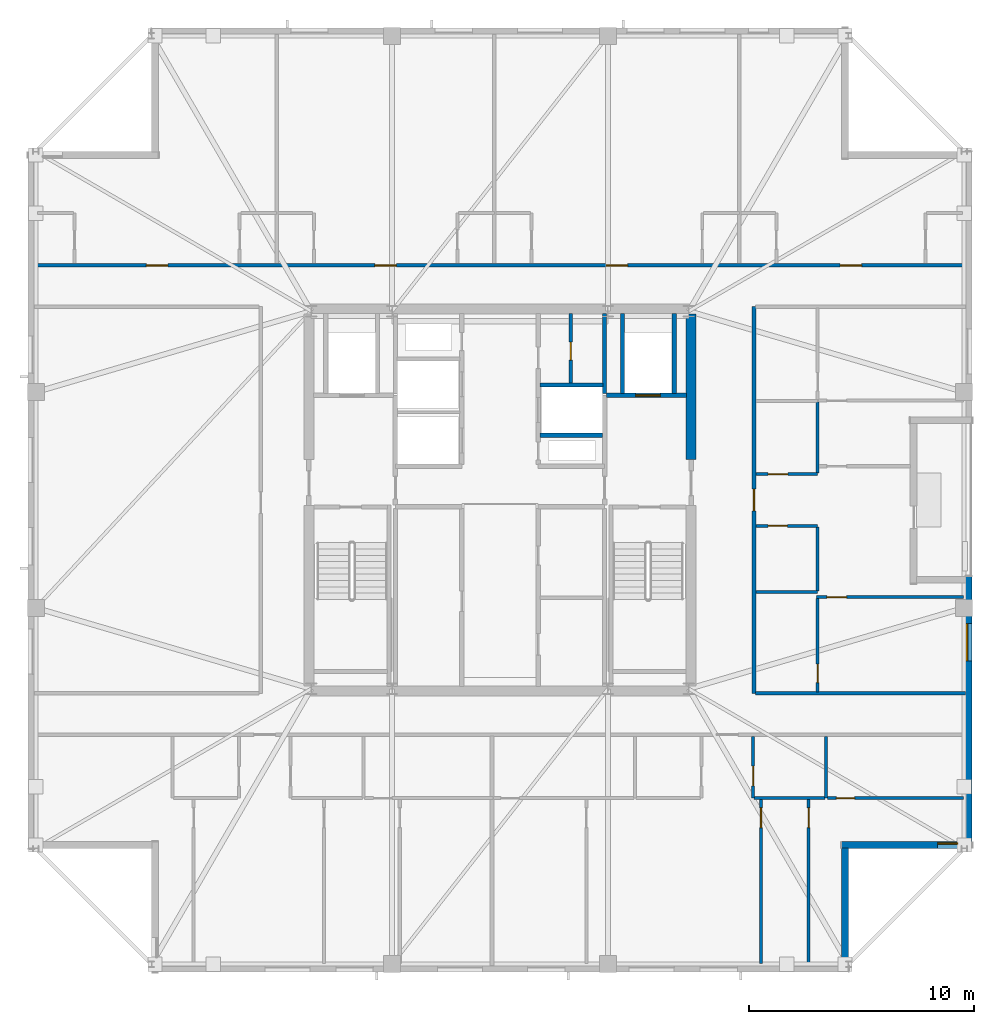
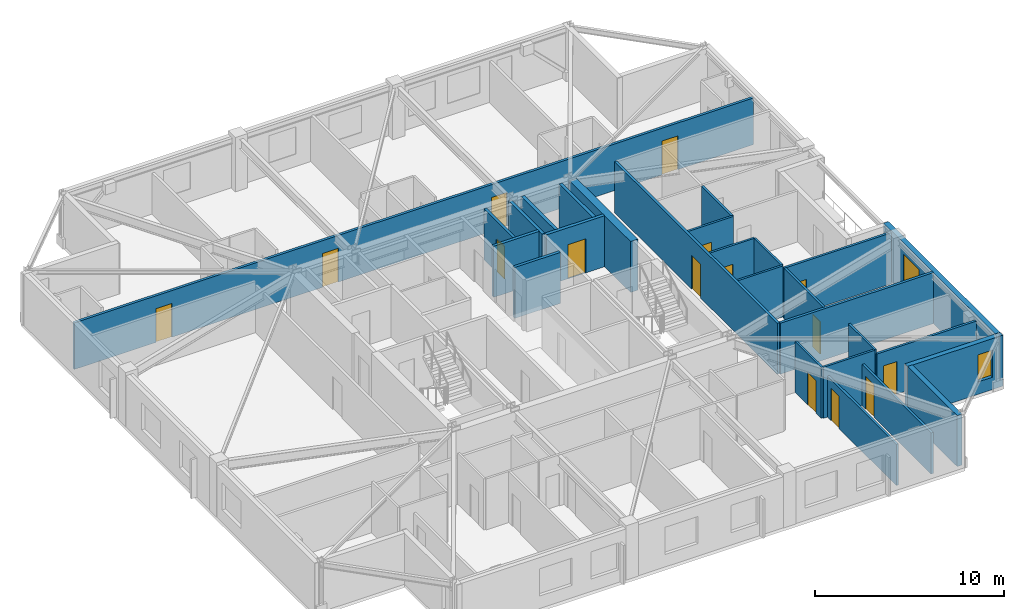
# One storey, part 9 of 15: 27 walls, 15 doors, 2 windows, 17 openings.
"""IFC4 building model written with IfcOpenShell, lengths in metres."""

from ifc_helpers import new_model, si_unit, direction, frame, frame_2d, origin, place, context, subcontext, project, spatial, rectangle, extrude, material, layer, layer_set, type_object, element, fill, save


model = new_model("IFC4")

# Units and contexts
model_context = context("Model", 3, precision=1e-05, world=origin(), true_north=direction((0.0, 1.0)))
body_context = subcontext(model_context, "Body", "Model", "MODEL_VIEW")
ifc_project = project(units=[si_unit("LENGTHUNIT", "METRE"), si_unit("AREAUNIT", "SQUARE_METRE"), si_unit("VOLUMEUNIT", "CUBIC_METRE"), si_unit("PLANEANGLEUNIT", "RADIAN"), si_unit("MASSUNIT", "GRAM", prefix="KILO")], contexts=[model_context])

# Site, building, storey
site_placement = place(None, origin())
site = spatial("IfcSite", under=ifc_project, at=site_placement, CompositionType="ELEMENT")
building_placement = place(site_placement, origin())
building = spatial("IfcBuilding", under=site, at=building_placement, Name="Cairnveth Concourse Tower", CompositionType="ELEMENT")
storey_placement = place(building_placement, frame((0.0, 0.0, 305.0)))
storey = spatial("IfcBuildingStorey", under=building, at=storey_placement, Name="L84", CompositionType="ELEMENT", Elevation=305.0)

# Wall, opening, door
ifc_material_1 = material(Name="Gypsum Plasterboard Partition", Category="gypsum")
ifc_layer_1 = layer(ifc_material_1, 0.159912109375)
ifc_layer_set_1 = layer_set([ifc_layer_1], Name="Gypsum Plasterboard Partition")
wall_type_1 = type_object("IfcWallType", Name="ACOUSTIC PARTY WALL 180", PredefinedType="PARTITIONING", material=ifc_layer_set_1)
wall_1_placement = place(storey_placement, frame((55.14990234375, 44.195068359375, 0.0), z_axis=(0.0, 0.0, 1.0), x_axis=(0.0, 1.0, 0.0)))
wall_1 = element("IfcWall", 1, at=wall_1_placement, inside=storey, type_object=wall_type_1, Name="Interior Wall IW-L84-034", PredefinedType="PARTITIONING", context=body_context, shape_type="SweptSolid", body=[
    extrude(rectangle(XDim=3.094970703125, YDim=0.159912109375, at=frame_2d((1.54736328125, 0.0))), origin(), (0.0, 0.0, 1.0), 3.2900390625),
])
opening_1_placement = place(wall_1_placement, frame((1.02490234375, 0.0, 0.0)))
opening_1 = element("IfcOpeningElement", 2, at=opening_1_placement, cuts=wall_1, Name="Opening ID23", PredefinedType="OPENING", context=body_context, shape_type="SweptSolid", body=[
    extrude(rectangle(XDim=0.800048828125, YDim=2.10009765625, at=frame_2d((0.39990234375, 1.050048828125))), frame((0.0, 0.08984375, 0.0), z_axis=(0.0, -1.0, 0.0), x_axis=(1.0, 0.0, 0.0)), (0.0, 0.0, 1.0), 0.179931640625),
])
ifc_material_2 = material(Name="Steel Grade 350", Category="steel")
door_type_1 = type_object("IfcDoorType", Name="CORE SERVICE DOOR 800X2100", OperationType="NOTDEFINED", PredefinedType="DOOR", material=ifc_material_2)
door_1_placement = place(opening_1_placement, origin())
door_1 = element("IfcDoor", 3, at=door_1_placement, inside=storey, type_object=door_type_1, Name="NE Linen Closet Door L84", OperationType="SINGLE_SWING_RIGHT", OverallHeight=2.10009765625, OverallWidth=0.800048828125, PredefinedType="DOOR", context=body_context, shape_type="SweptSolid", body=[
    extrude(rectangle(XDim=0.800048828125, YDim=2.10009765625, at=frame_2d((0.39990234375, 1.050048828125))), frame((0.0, 0.02490234375, 0.0), z_axis=(0.0, -1.0, 0.0), x_axis=(1.0, 0.0, 0.0)), (0.0, 0.0, 1.0), 0.050048828125),
])
fill(opening_1, door_1)

# Wall, openings, doors
wall_2_placement = place(storey_placement, frame((31.284912109375, 49.43505859375, 0.0), z_axis=(0.0, 0.0, 1.0), x_axis=(1.0, 0.0, 0.0)))
wall_2 = element("IfcWall", 4, at=wall_2_placement, inside=storey, type_object=wall_type_1, Name="Interior Wall IW-L84-036", PredefinedType="PARTITIONING", context=body_context, shape_type="SweptSolid", body=[
    extrude(rectangle(XDim=41.43017578125, YDim=0.159912109375, at=frame_2d((20.715087890625, 0.0))), origin(), (0.0, 0.0, 1.0), 3.009033203125),
])
opening_2_placement = place(wall_2_placement, frame((4.978759765625, 0.0, 0.0)))
opening_2 = element("IfcOpeningElement", 5, at=opening_2_placement, cuts=wall_2, Name="Opening ID10", PredefinedType="OPENING", context=body_context, shape_type="SweptSolid", body=[
    extrude(rectangle(XDim=0.9599609375, YDim=2.179931640625, at=frame_2d((0.47998046875, 1.08984375))), frame((0.0, 0.08984375, 0.0), z_axis=(0.0, -1.0, 0.0), x_axis=(1.0, 0.0, 0.0)), (0.0, 0.0, 1.0), 0.179931640625),
])
opening_3_placement = place(wall_2_placement, frame((15.14501953125, 0.0, 0.0)))
opening_3 = element("IfcOpeningElement", 6, at=opening_3_placement, cuts=wall_2, Name="Opening ID10", PredefinedType="OPENING", context=body_context, shape_type="SweptSolid", body=[
    extrude(rectangle(XDim=0.9599609375, YDim=2.179931640625, at=frame_2d((0.47998046875, 1.08984375))), frame((0.0, 0.08984375, 0.0), z_axis=(0.0, -1.0, 0.0), x_axis=(1.0, 0.0, 0.0)), (0.0, 0.0, 1.0), 0.179931640625),
])
opening_4_placement = place(wall_2_placement, frame((25.43505859375, 0.0, 0.0)))
opening_4 = element("IfcOpeningElement", 7, at=opening_4_placement, cuts=wall_2, Name="Opening ID10", PredefinedType="OPENING", context=body_context, shape_type="SweptSolid", body=[
    extrude(rectangle(XDim=0.9599609375, YDim=2.179931640625, at=frame_2d((0.47998046875, 1.08984375))), frame((0.0, 0.08984375, 0.0), z_axis=(0.0, -1.0, 0.0), x_axis=(1.0, 0.0, 0.0)), (0.0, 0.0, 1.0), 0.179931640625),
])
opening_5_placement = place(wall_2_placement, frame((35.848876953125, 0.0, 0.0)))
opening_5 = element("IfcOpeningElement", 8, at=opening_5_placement, cuts=wall_2, Name="Opening ID10", PredefinedType="OPENING", context=body_context, shape_type="SweptSolid", body=[
    extrude(rectangle(XDim=0.9599609375, YDim=2.179931640625, at=frame_2d((0.47998046875, 1.08984375))), frame((0.0, 0.08984375, 0.0), z_axis=(0.0, -1.0, 0.0), x_axis=(1.0, 0.0, 0.0)), (0.0, 0.0, 1.0), 0.179931640625),
])
ifc_material_3 = material(Name="Solid Core Hardwood Timber Leaf", Category="wood")
door_type_2 = type_object("IfcDoorType", Name="FLAT ENTRANCE DOOR 960X2150", OperationType="NOTDEFINED", PredefinedType="DOOR", material=ifc_material_3)
door_2_placement = place(opening_2_placement, origin())
door_2 = element("IfcDoor", 9, at=door_2_placement, inside=storey, type_object=door_type_2, Name="Studio L84STN1 Entrance Door", OperationType="SINGLE_SWING_RIGHT", OverallHeight=2.179931640625, OverallWidth=0.9599609375, PredefinedType="DOOR", context=body_context, shape_type="SweptSolid", body=[
    extrude(rectangle(XDim=0.9599609375, YDim=2.179931640625, at=frame_2d((0.47998046875, 1.08984375))), frame((0.0, 0.02490234375, 0.0), z_axis=(0.0, -1.0, 0.0), x_axis=(1.0, 0.0, 0.0)), (0.0, 0.0, 1.0), 0.050048828125),
])
fill(opening_2, door_2)
door_3_placement = place(opening_3_placement, origin())
door_3 = element("IfcDoor", 10, at=door_3_placement, inside=storey, type_object=door_type_2, Name="Studio L84STN2 Entrance Door", OperationType="SINGLE_SWING_LEFT", OverallHeight=2.179931640625, OverallWidth=0.9599609375, PredefinedType="DOOR", context=body_context, shape_type="SweptSolid", body=[
    extrude(rectangle(XDim=0.9599609375, YDim=2.179931640625, at=frame_2d((0.47998046875, 1.08984375))), frame((0.0, 0.02490234375, 0.0), z_axis=(0.0, -1.0, 0.0), x_axis=(1.0, 0.0, 0.0)), (0.0, 0.0, 1.0), 0.050048828125),
])
fill(opening_3, door_3)
door_4_placement = place(opening_4_placement, origin())
door_4 = element("IfcDoor", 11, at=door_4_placement, inside=storey, type_object=door_type_2, Name="Studio L84STN3 Entrance Door", OperationType="SINGLE_SWING_RIGHT", OverallHeight=2.179931640625, OverallWidth=0.9599609375, PredefinedType="DOOR", context=body_context, shape_type="SweptSolid", body=[
    extrude(rectangle(XDim=0.9599609375, YDim=2.179931640625, at=frame_2d((0.47998046875, 1.08984375))), frame((0.0, 0.02490234375, 0.0), z_axis=(0.0, -1.0, 0.0), x_axis=(1.0, 0.0, 0.0)), (0.0, 0.0, 1.0), 0.050048828125),
])
fill(opening_4, door_4)
door_5_placement = place(opening_5_placement, origin())
door_5 = element("IfcDoor", 12, at=door_5_placement, inside=storey, type_object=door_type_2, Name="Studio L84STN4 Entrance Door", OperationType="SINGLE_SWING_LEFT", OverallHeight=2.179931640625, OverallWidth=0.9599609375, PredefinedType="DOOR", context=body_context, shape_type="SweptSolid", body=[
    extrude(rectangle(XDim=0.9599609375, YDim=2.179931640625, at=frame_2d((0.47998046875, 1.08984375))), frame((0.0, 0.02490234375, 0.0), z_axis=(0.0, -1.0, 0.0), x_axis=(1.0, 0.0, 0.0)), (0.0, 0.0, 1.0), 0.050048828125),
])
fill(opening_5, door_5)

# Wall, opening, door
wall_3_placement = place(storey_placement, frame((63.300048828125, 30.39990234375, 0.0), z_axis=(0.0, 0.0, 1.0), x_axis=(0.0, 1.0, 0.0)))
wall_3 = element("IfcWall", 13, at=wall_3_placement, inside=storey, type_object=wall_type_1, Name="Interior Wall IW-L84-038", PredefinedType="PARTITIONING", context=body_context, shape_type="SweptSolid", body=[
    extrude(rectangle(XDim=17.2001953125, YDim=0.159912109375, at=frame_2d((8.60009765625, 0.0))), origin(), (0.0, 0.0, 1.0), 3.2900390625),
])
opening_6_placement = place(wall_3_placement, frame((8.1201171875, 0.0, 0.0)))
opening_6 = element("IfcOpeningElement", 14, at=opening_6_placement, cuts=wall_3, Name="Opening ID10", PredefinedType="OPENING", context=body_context, shape_type="SweptSolid", body=[
    extrude(rectangle(XDim=0.9599609375, YDim=2.179931640625, at=frame_2d((0.47998046875, 1.08984375))), frame((0.0, 0.08984375, 0.0), z_axis=(0.0, -1.0, 0.0), x_axis=(1.0, 0.0, 0.0)), (0.0, 0.0, 1.0), 0.179931640625),
])
door_6_placement = place(opening_6_placement, origin())
door_6 = element("IfcDoor", 15, at=door_6_placement, inside=storey, type_object=door_type_2, Name="Penthouse L84PE1 Entrance Door", OperationType="SINGLE_SWING_RIGHT", OverallHeight=2.179931640625, OverallWidth=0.9599609375, PredefinedType="DOOR", context=body_context, shape_type="SweptSolid", body=[
    extrude(rectangle(XDim=0.9599609375, YDim=2.179931640625, at=frame_2d((0.47998046875, 1.08984375))), frame((0.0, 0.02490234375, 0.0), z_axis=(0.0, -1.0, 0.0), x_axis=(1.0, 0.0, 0.0)), (0.0, 0.0, 1.0), 0.050048828125),
])
fill(opening_6, door_6)

# Walls
wall_4_placement = place(storey_placement, frame((63.364990234375, 30.39990234375, 0.0), z_axis=(0.0, 0.0, 1.0), x_axis=(1.0, 0.0, 0.0)))
element("IfcWall", 16, at=wall_4_placement, inside=storey, type_object=wall_type_1, Name="Interior Wall IW-L84-041", PredefinedType="PARTITIONING", context=body_context, shape_type="SweptSolid", body=[
    extrude(rectangle(XDim=9.35009765625, YDim=0.159912109375, at=frame_2d((4.675048828125, 0.0))), origin(), (0.0, 0.0, 1.0), 3.2900390625),
])
ifc_material_4 = material(Name="Concrete N65 (65 MPa)", Category="concrete")
ifc_layer_2 = layer(ifc_material_4, 0.449951171875)
ifc_layer_set_2 = layer_set([ifc_layer_2], Name="Concrete N65 (65 MPa)")
wall_type_2 = type_object("IfcWallType", Name="CORE SHEAR WALL 450", PredefinedType="SHEAR", material=ifc_layer_set_2)
wall_5_placement = place(storey_placement, frame((60.5, 40.800048828125, 0.0), z_axis=(0.0, 0.0, 1.0), x_axis=(0.0, 1.0, 0.0)))
element("IfcWall", 17, at=wall_5_placement, inside=storey, type_object=wall_type_2, Name="Core East Shear Wall N L84", PredefinedType="SHEAR", context=body_context, shape_type="SweptSolid", body=[
    extrude(rectangle(XDim=6.48486328125, YDim=0.449951171875, at=frame_2d((3.242431640625, 0.0))), origin(), (0.0, 0.0, 1.0), 3.2900390625),
])
ifc_material_5 = material(Name="Concrete N50 (50 MPa)", Category="concrete")
ifc_layer_3 = layer(ifc_material_5, 0.179931640625)
ifc_layer_set_3 = layer_set([ifc_layer_3], Name="Concrete N50 (50 MPa)")
wall_type_3 = type_object("IfcWallType", Name="FIRE SHAFT WALL 180", PredefinedType="SOLIDWALL", material=ifc_layer_set_3)
wall_6_placement = place(storey_placement, frame((56.64990234375, 43.735107421875, 0.0), z_axis=(0.0, 0.0, 1.0), x_axis=(0.0, 1.0, 0.0)))
element("IfcWall", 18, at=wall_6_placement, inside=storey, type_object=wall_type_3, Name="Interior Wall IW-L84-031", PredefinedType="SOLIDWALL", context=body_context, shape_type="SweptSolid", body=[
    extrude(rectangle(XDim=3.554931640625, YDim=0.179931640625, at=frame_2d((1.77734375, 0.0))), origin(), (0.0, 0.0, 1.0), 3.2900390625),
])
wall_7_placement = place(storey_placement, frame((53.784912109375, 41.8798828125, 0.0), z_axis=(0.0, 0.0, 1.0), x_axis=(1.0, 0.0, 0.0)))
element("IfcWall", 19, at=wall_7_placement, inside=storey, type_object=wall_type_3, Name="Interior Wall IW-L84-032", PredefinedType="SOLIDWALL", context=body_context, shape_type="SweptSolid", body=[
    extrude(rectangle(XDim=2.780029296875, YDim=0.179931640625, at=frame_2d((1.39013671875, 0.0))), origin(), (0.0, 0.0, 1.0), 3.2900390625),
])
wall_8_placement = place(storey_placement, frame((53.784912109375, 44.1201171875, 0.0), z_axis=(0.0, 0.0, 1.0), x_axis=(1.0, 0.0, 0.0)))
element("IfcWall", 20, at=wall_8_placement, inside=storey, type_object=wall_type_3, Name="Interior Wall IW-L84-033", PredefinedType="SOLIDWALL", context=body_context, shape_type="SweptSolid", body=[
    extrude(rectangle(XDim=2.7900390625, YDim=0.179931640625, at=frame_2d((1.39501953125, 0.0))), origin(), (0.0, 0.0, 1.0), 3.2900390625),
])

# Wall, opening, door
ifc_layer_4 = layer(ifc_material_5, 0.199951171875)
ifc_layer_set_4 = layer_set([ifc_layer_4], Name="Concrete N50 (50 MPa)")
wall_type_4 = type_object("IfcWallType", Name="FIRE SHAFT WALL 200", PredefinedType="SOLIDWALL", material=ifc_layer_set_4)
wall_9_placement = place(storey_placement, frame((56.735107421875, 43.64990234375, 0.0), z_axis=(0.0, 0.0, 1.0), x_axis=(1.0, 0.0, 0.0)))
wall_9 = element("IfcWall", 21, at=wall_9_placement, inside=storey, type_object=wall_type_4, Name="Interior Wall IW-L84-022", PredefinedType="SOLIDWALL", context=body_context, shape_type="SweptSolid", body=[
    extrude(rectangle(XDim=3.554931640625, YDim=0.199951171875, at=frame_2d((1.77734375, 0.0))), origin(), (0.0, 0.0, 1.0), 3.2900390625),
])
opening_7_placement = place(wall_9_placement, frame((1.294921875, 0.0, 0.0)))
opening_7 = element("IfcOpeningElement", 22, at=opening_7_placement, cuts=wall_9, Name="Opening LD-1", PredefinedType="OPENING", context=body_context, shape_type="SweptSolid", body=[
    extrude(rectangle(XDim=1.10009765625, YDim=2.199951171875, at=frame_2d((0.550048828125, 1.10009765625))), frame((0.0, 0.10986328125, 0.0), z_axis=(0.0, -1.0, 0.0), x_axis=(1.0, 0.0, 0.0)), (0.0, 0.0, 1.0), 0.219970703125),
])
ifc_material_6 = material(Name="Architectural Bronze Anodised Aluminium 6063-T6", Category="aluminium")
door_type_3 = type_object("IfcDoorType", Name="LIFT LANDING DOOR 1100X2200", OperationType="SLIDING_TO_LEFT", PredefinedType="DOOR", material=ifc_material_6)
door_7_placement = place(opening_7_placement, origin())
door_7 = element("IfcDoor", 23, at=door_7_placement, inside=storey, type_object=door_type_3, Name="Lift FFL2 Landing Door L84", OperationType="SLIDING_TO_LEFT", OverallHeight=2.199951171875, OverallWidth=1.10009765625, PredefinedType="DOOR", context=body_context, shape_type="SweptSolid", body=[
    extrude(rectangle(XDim=1.10009765625, YDim=2.199951171875, at=frame_2d((0.550048828125, 1.10009765625))), frame((0.0, 0.02490234375, 0.0), z_axis=(0.0, -1.0, 0.0), x_axis=(1.0, 0.0, 0.0)), (0.0, 0.0, 1.0), 0.050048828125),
])
fill(opening_7, door_7)

# Walls
for number, where, z_axis, x_axis, name in (
    (24, (57.449951171875, 43.735107421875, 0.0), (0.0, 0.0, 1.0), (0.0, 1.0, 0.0), "Interior Wall IW-L84-023"),
    (25, (59.75, 43.735107421875, 0.0), (0.0, 0.0, 1.0), (0.0, 1.0, 0.0), "Interior Wall IW-L84-024"),
):
    element("IfcWall", number, at=place(storey_placement, frame(where, z_axis=z_axis, x_axis=x_axis)), inside=storey, type_object=wall_type_4, Name=name, PredefinedType="SOLIDWALL", context=body_context, shape_type="SweptSolid", body=[
        extrude(rectangle(XDim=3.554931640625, YDim=0.199951171875, at=frame_2d((1.77734375, 0.0))), origin(), (0.0, 0.0, 1.0), 3.2900390625),
    ])

# Wall, opening, door
ifc_layer_5 = layer(ifc_material_1, 0.139892578125)
ifc_layer_set_5 = layer_set([ifc_layer_5], Name="Gypsum Plasterboard Partition")
wall_type_5 = type_object("IfcWallType", Name="GYPSUM STUD PARTITION 140", PredefinedType="PARTITIONING", material=ifc_layer_set_5)
wall_10_placement = place(storey_placement, frame((65.72998046875, 18.3798828125, 0.0), z_axis=(0.0, 0.0, 1.0), x_axis=(0.0, 1.0, 0.0)))
wall_10 = element("IfcWall", 26, at=wall_10_placement, inside=storey, type_object=wall_type_5, Name="Interior Wall IW-L84-062", PredefinedType="PARTITIONING", context=body_context, shape_type="SweptSolid", body=[
    extrude(rectangle(XDim=7.30517578125, YDim=0.139892578125, at=frame_2d((3.652587890625, 0.0))), origin(), (0.0, 0.0, 1.0), 2.653076171875),
])
opening_8_placement = place(wall_10_placement, frame((6.044921875, 0.0, 0.0)))
opening_8 = element("IfcOpeningElement", 27, at=opening_8_placement, cuts=wall_10, Name="Opening ID18", PredefinedType="OPENING", context=body_context, shape_type="SweptSolid", body=[
    extrude(rectangle(XDim=0.8798828125, YDim=2.10009765625, at=frame_2d((0.43994140625, 1.050048828125))), frame((0.0, 0.079833984375, 0.0), z_axis=(0.0, -1.0, 0.0), x_axis=(1.0, 0.0, 0.0)), (0.0, 0.0, 1.0), 0.159912109375),
])
door_type_4 = type_object("IfcDoorType", Name="INTERIOR SINGLE DOOR 880X2100", OperationType="NOTDEFINED", PredefinedType="DOOR", material=ifc_material_3)
door_8_placement = place(opening_8_placement, origin())
door_8 = element("IfcDoor", 28, at=door_8_placement, inside=storey, type_object=door_type_4, Name="L84PS2 Bedroom 2 Door", OperationType="SINGLE_SWING_LEFT", OverallHeight=2.10009765625, OverallWidth=0.8798828125, PredefinedType="DOOR", context=body_context, shape_type="SweptSolid", body=[
    extrude(rectangle(XDim=0.8798828125, YDim=2.10009765625, at=frame_2d((0.43994140625, 1.050048828125))), frame((0.0, 0.02490234375, 0.0), z_axis=(0.0, -1.0, 0.0), x_axis=(1.0, 0.0, 0.0)), (0.0, 0.0, 1.0), 0.050048828125),
])
fill(opening_8, door_8)

wall_11_placement = place(storey_placement, frame((66.561279296875, 25.735107421875, 0.0), z_axis=(0.0, 0.0, 1.0), x_axis=(1.0, 0.0, 0.0)))
wall_11 = element("IfcWall", 29, at=wall_11_placement, inside=storey, type_object=wall_type_5, Name="Interior Wall IW-L84-063", PredefinedType="PARTITIONING", context=body_context, shape_type="SweptSolid", body=[
    extrude(rectangle(XDim=6.068603515625, YDim=0.139892578125, at=frame_2d((3.0341796875, 0.0))), origin(), (0.0, 0.0, 1.0), 3.009033203125),
])
opening_9_placement = place(wall_11_placement, frame((0.39990234375, 0.0, 0.0)))
opening_9 = element("IfcOpeningElement", 30, at=opening_9_placement, cuts=wall_11, Name="Opening ID22", PredefinedType="OPENING", context=body_context, shape_type="SweptSolid", body=[
    extrude(rectangle(XDim=0.820068359375, YDim=2.10009765625, at=frame_2d((0.41015625, 1.050048828125))), frame((0.0, 0.079833984375, 0.0), z_axis=(0.0, -1.0, 0.0), x_axis=(1.0, 0.0, 0.0)), (0.0, 0.0, 1.0), 0.159912109375),
])
door_type_5 = type_object("IfcDoorType", Name="INTERIOR WC DOOR 820X2100", OperationType="NOTDEFINED", PredefinedType="DOOR", material=ifc_material_3)
door_9_placement = place(opening_9_placement, origin())
door_9 = element("IfcDoor", 31, at=door_9_placement, inside=storey, type_object=door_type_5, Name="L84PS2 Utility Door", OperationType="SINGLE_SWING_RIGHT", OverallHeight=2.10009765625, OverallWidth=0.820068359375, PredefinedType="DOOR", context=body_context, shape_type="SweptSolid", body=[
    extrude(rectangle(XDim=0.820068359375, YDim=2.10009765625, at=frame_2d((0.41015625, 1.050048828125))), frame((0.0, 0.02490234375, 0.0), z_axis=(0.0, -1.0, 0.0), x_axis=(1.0, 0.0, 0.0)), (0.0, 0.0, 1.0), 0.050048828125),
])
fill(opening_9, door_9)

wall_12_placement = place(storey_placement, frame((63.611083984375, 18.3798828125, 0.0), z_axis=(0.0, 0.0, 1.0), x_axis=(0.0, 1.0, 0.0)))
wall_12 = element("IfcWall", 32, at=wall_12_placement, inside=storey, type_object=wall_type_5, Name="Interior Wall IW-L84-064", PredefinedType="PARTITIONING", context=body_context, shape_type="SweptSolid", body=[
    extrude(rectangle(XDim=7.30517578125, YDim=0.139892578125, at=frame_2d((3.652587890625, 0.0))), origin(), (0.0, 0.0, 1.0), 2.653076171875),
])
opening_10_placement = place(wall_12_placement, frame((6.044921875, 0.0, 0.0)))
opening_10 = element("IfcOpeningElement", 33, at=opening_10_placement, cuts=wall_12, Name="Opening ID18", PredefinedType="OPENING", context=body_context, shape_type="SweptSolid", body=[
    extrude(rectangle(XDim=0.8798828125, YDim=2.10009765625, at=frame_2d((0.43994140625, 1.050048828125))), frame((0.0, 0.079833984375, 0.0), z_axis=(0.0, -1.0, 0.0), x_axis=(1.0, 0.0, 0.0)), (0.0, 0.0, 1.0), 0.159912109375),
])
door_10_placement = place(opening_10_placement, origin())
door_10 = element("IfcDoor", 34, at=door_10_placement, inside=storey, type_object=door_type_4, Name="L84PS2 Media Lounge Door", OperationType="SINGLE_SWING_RIGHT", OverallHeight=2.10009765625, OverallWidth=0.8798828125, PredefinedType="DOOR", context=body_context, shape_type="SweptSolid", body=[
    extrude(rectangle(XDim=0.8798828125, YDim=2.10009765625, at=frame_2d((0.43994140625, 1.050048828125))), frame((0.0, 0.02490234375, 0.0), z_axis=(0.0, -1.0, 0.0), x_axis=(1.0, 0.0, 0.0)), (0.0, 0.0, 1.0), 0.050048828125),
])
fill(opening_10, door_10)

wall_13_placement = place(storey_placement, frame((66.090087890625, 34.679931640625, 0.0), z_axis=(0.0, 0.0, 1.0), x_axis=(1.0, 0.0, 0.0)))
wall_13 = element("IfcWall", 35, at=wall_13_placement, inside=storey, type_object=wall_type_5, Name="Interior Wall IW-L84-090", PredefinedType="PARTITIONING", context=body_context, shape_type="SweptSolid", body=[
    extrude(rectangle(XDim=6.530029296875, YDim=0.139892578125, at=frame_2d((3.26513671875, 0.0))), origin(), (0.0, 0.0, 1.0), 3.2900390625),
])
opening_11_placement = place(wall_13_placement, frame((0.449951171875, 0.0, 0.0)))
opening_11 = element("IfcOpeningElement", 36, at=opening_11_placement, cuts=wall_13, Name="Opening ID18", PredefinedType="OPENING", context=body_context, shape_type="SweptSolid", body=[
    extrude(rectangle(XDim=0.8798828125, YDim=2.10009765625, at=frame_2d((0.43994140625, 1.050048828125))), frame((0.0, 0.079833984375, 0.0), z_axis=(0.0, -1.0, 0.0), x_axis=(1.0, 0.0, 0.0)), (0.0, 0.0, 1.0), 0.159912109375),
])
door_11_placement = place(opening_11_placement, origin())
door_11 = element("IfcDoor", 37, at=door_11_placement, inside=storey, type_object=door_type_4, Name="L84PE1 Master Bedroom Door", OperationType="SINGLE_SWING_RIGHT", OverallHeight=2.10009765625, OverallWidth=0.8798828125, PredefinedType="DOOR", context=body_context, shape_type="SweptSolid", body=[
    extrude(rectangle(XDim=0.8798828125, YDim=2.10009765625, at=frame_2d((0.43994140625, 1.050048828125))), frame((0.0, 0.02490234375, 0.0), z_axis=(0.0, -1.0, 0.0), x_axis=(1.0, 0.0, 0.0)), (0.0, 0.0, 1.0), 0.050048828125),
])
fill(opening_11, door_11)

wall_14_placement = place(storey_placement, frame((66.1298828125, 30.465087890625, 0.0), z_axis=(0.0, 0.0, 1.0), x_axis=(0.0, 1.0, 0.0)))
wall_14 = element("IfcWall", 38, at=wall_14_placement, inside=storey, type_object=wall_type_5, Name="Interior Wall IW-L84-091", PredefinedType="PARTITIONING", context=body_context, shape_type="SweptSolid", body=[
    extrude(rectangle(XDim=4.159912109375, YDim=0.139892578125, at=frame_2d((2.080078125, 0.0))), origin(), (0.0, 0.0, 1.0), 3.2900390625),
])
opening_12_placement = place(wall_14_placement, frame((0.4150390625, 0.0, 0.0)))
opening_12 = element("IfcOpeningElement", 39, at=opening_12_placement, cuts=wall_14, Name="Opening ID22", PredefinedType="OPENING", context=body_context, shape_type="SweptSolid", body=[
    extrude(rectangle(XDim=0.820068359375, YDim=2.10009765625, at=frame_2d((0.41015625, 1.050048828125))), frame((0.0, 0.079833984375, 0.0), z_axis=(0.0, -1.0, 0.0), x_axis=(1.0, 0.0, 0.0)), (0.0, 0.0, 1.0), 0.159912109375),
])
door_12_placement = place(opening_12_placement, origin())
door_12 = element("IfcDoor", 40, at=door_12_placement, inside=storey, type_object=door_type_5, Name="L84PE1 Dressing Door", OperationType="SINGLE_SWING_LEFT", OverallHeight=2.10009765625, OverallWidth=0.820068359375, PredefinedType="DOOR", context=body_context, shape_type="SweptSolid", body=[
    extrude(rectangle(XDim=0.820068359375, YDim=2.10009765625, at=frame_2d((0.41015625, 1.050048828125))), frame((0.0, 0.02490234375, 0.0), z_axis=(0.0, -1.0, 0.0), x_axis=(1.0, 0.0, 0.0)), (0.0, 0.0, 1.0), 0.050048828125),
])
fill(opening_12, door_12)

# Wall
ifc_layer_6 = layer(ifc_material_1, 0.1298828125)
ifc_layer_set_6 = layer_set([ifc_layer_6], Name="Gypsum Plasterboard Partition")
wall_type_6 = type_object("IfcWallType", Name="WET AREA PARTITION 140", PredefinedType="PLUMBINGWALL", material=ifc_layer_set_6)
wall_15_placement = place(storey_placement, frame((66.51123046875, 25.735107421875, 0.0), z_axis=(0.0, 0.0, 1.0), x_axis=(0.0, 1.0, 0.0)))
element("IfcWall", 41, at=wall_15_placement, inside=storey, type_object=wall_type_6, Name="Interior Wall IW-L84-057", PredefinedType="PLUMBINGWALL", context=body_context, shape_type="SweptSolid", body=[
    extrude(rectangle(XDim=2.75, YDim=0.1298828125, at=frame_2d((1.375, 0.0))), origin(), (0.0, 0.0, 1.0), 3.2900390625),
])

# Wall, opening, door
wall_16_placement = place(storey_placement, frame((63.26123046875, 25.735107421875, 0.0), z_axis=(0.0, 0.0, 1.0), x_axis=(0.0, 1.0, 0.0)))
wall_16 = element("IfcWall", 42, at=wall_16_placement, inside=storey, type_object=wall_type_6, Name="Interior Wall IW-L84-058", PredefinedType="PLUMBINGWALL", context=body_context, shape_type="SweptSolid", body=[
    extrude(rectangle(XDim=2.75, YDim=0.1298828125, at=frame_2d((1.375, 0.0))), origin(), (0.0, 0.0, 1.0), 3.2900390625),
])
opening_13_placement = place(wall_16_placement, frame((0.550048828125, 0.0, 0.0)))
opening_13 = element("IfcOpeningElement", 43, at=opening_13_placement, cuts=wall_16, Name="Opening ID18", PredefinedType="OPENING", context=body_context, shape_type="SweptSolid", body=[
    extrude(rectangle(XDim=0.8798828125, YDim=2.10009765625, at=frame_2d((0.43994140625, 1.050048828125))), frame((0.0, 0.074951171875, 0.0), z_axis=(0.0, -1.0, 0.0), x_axis=(1.0, 0.0, 0.0)), (0.0, 0.0, 1.0), 0.14990234375),
])
door_13_placement = place(opening_13_placement, origin())
door_13 = element("IfcDoor", 44, at=door_13_placement, inside=storey, type_object=door_type_4, Name="L84PS2 Kitchen Door", OperationType="SINGLE_SWING_LEFT", OverallHeight=2.10009765625, OverallWidth=0.8798828125, PredefinedType="DOOR", context=body_context, shape_type="SweptSolid", body=[
    extrude(rectangle(XDim=0.8798828125, YDim=2.10009765625, at=frame_2d((0.43994140625, 1.050048828125))), frame((0.0, 0.02490234375, 0.0), z_axis=(0.0, -1.0, 0.0), x_axis=(1.0, 0.0, 0.0)), (0.0, 0.0, 1.0), 0.050048828125),
])
fill(opening_13, door_13)

# Walls
wall_17_placement = place(storey_placement, frame((63.311279296875, 25.735107421875, 0.0), z_axis=(0.0, 0.0, 1.0), x_axis=(1.0, 0.0, 0.0)))
element("IfcWall", 45, at=wall_17_placement, inside=storey, type_object=wall_type_6, Name="Interior Wall IW-L84-059", PredefinedType="PLUMBINGWALL", context=body_context, shape_type="SweptSolid", body=[
    extrude(rectangle(XDim=3.14990234375, YDim=0.1298828125, at=frame_2d((1.574951171875, 0.0))), origin(), (0.0, 0.0, 1.0), 3.2900390625),
])
wall_18_placement = place(storey_placement, frame((63.3798828125, 34.89990234375, 0.0), z_axis=(0.0, 0.0, 1.0), x_axis=(1.0, 0.0, 0.0)))
element("IfcWall", 46, at=wall_18_placement, inside=storey, type_object=wall_type_6, Name="Interior Wall IW-L84-084", PredefinedType="PLUMBINGWALL", context=body_context, shape_type="SweptSolid", body=[
    extrude(rectangle(XDim=2.75, YDim=0.1298828125, at=frame_2d((1.375, 0.0))), origin(), (0.0, 0.0, 1.0), 3.2900390625),
])

# Wall, opening, door
wall_19_placement = place(storey_placement, frame((63.3798828125, 37.85009765625, 0.0), z_axis=(0.0, 0.0, 1.0), x_axis=(1.0, 0.0, 0.0)))
wall_19 = element("IfcWall", 47, at=wall_19_placement, inside=storey, type_object=wall_type_6, Name="Interior Wall IW-L84-085", PredefinedType="PLUMBINGWALL", context=body_context, shape_type="SweptSolid", body=[
    extrude(rectangle(XDim=2.75, YDim=0.1298828125, at=frame_2d((1.375, 0.0))), origin(), (0.0, 0.0, 1.0), 3.2900390625),
])
opening_14_placement = place(wall_19_placement, frame((0.550048828125, 0.0, 0.0)))
opening_14 = element("IfcOpeningElement", 48, at=opening_14_placement, cuts=wall_19, Name="Opening ID21", PredefinedType="OPENING", context=body_context, shape_type="SweptSolid", body=[
    extrude(rectangle(XDim=0.85009765625, YDim=2.080078125, at=frame_2d((0.425048828125, 1.0400390625))), frame((0.0, 0.074951171875, 0.0), z_axis=(0.0, -1.0, 0.0), x_axis=(1.0, 0.0, 0.0)), (0.0, 0.0, 1.0), 0.14990234375),
])
door_type_6 = type_object("IfcDoorType", Name="INTERIOR WC DOOR 850X2100", OperationType="NOTDEFINED", PredefinedType="DOOR", material=ifc_material_3)
door_14_placement = place(opening_14_placement, origin())
door_14 = element("IfcDoor", 49, at=door_14_placement, inside=storey, type_object=door_type_6, Name="L84PE1 Bathroom Door", OperationType="SINGLE_SWING_LEFT", OverallHeight=2.080078125, OverallWidth=0.85009765625, PredefinedType="DOOR", context=body_context, shape_type="SweptSolid", body=[
    extrude(rectangle(XDim=0.85009765625, YDim=2.080078125, at=frame_2d((0.425048828125, 1.0400390625))), frame((0.0, 0.02490234375, 0.0), z_axis=(0.0, -1.0, 0.0), x_axis=(1.0, 0.0, 0.0)), (0.0, 0.0, 1.0), 0.050048828125),
])
fill(opening_14, door_14)

# Wall
wall_20_placement = place(storey_placement, frame((66.1298828125, 34.949951171875, 0.0), z_axis=(0.0, 0.0, 1.0), x_axis=(0.0, 1.0, 0.0)))
element("IfcWall", 50, at=wall_20_placement, inside=storey, type_object=wall_type_6, Name="Interior Wall IW-L84-086", PredefinedType="PLUMBINGWALL", context=body_context, shape_type="SweptSolid", body=[
    extrude(rectangle(XDim=2.85009765625, YDim=0.1298828125, at=frame_2d((1.425048828125, 0.0))), origin(), (0.0, 0.0, 1.0), 3.2900390625),
])

# Wall, opening, door
wall_21_placement = place(storey_placement, frame((63.3798828125, 40.14990234375, 0.0), z_axis=(0.0, 0.0, 1.0), x_axis=(1.0, 0.0, 0.0)))
wall_21 = element("IfcWall", 51, at=wall_21_placement, inside=storey, type_object=wall_type_6, Name="Interior Wall IW-L84-088", PredefinedType="PLUMBINGWALL", context=body_context, shape_type="SweptSolid", body=[
    extrude(rectangle(XDim=2.75, YDim=0.1298828125, at=frame_2d((1.375, 0.0))), origin(), (0.0, 0.0, 1.0), 3.2900390625),
])
opening_15_placement = place(wall_21_placement, frame((0.550048828125, 0.0, 0.0)))
opening_15 = element("IfcOpeningElement", 52, at=opening_15_placement, cuts=wall_21, Name="Opening ID18", PredefinedType="OPENING", context=body_context, shape_type="SweptSolid", body=[
    extrude(rectangle(XDim=0.8798828125, YDim=2.10009765625, at=frame_2d((0.43994140625, 1.050048828125))), frame((0.0, 0.074951171875, 0.0), z_axis=(0.0, -1.0, 0.0), x_axis=(1.0, 0.0, 0.0)), (0.0, 0.0, 1.0), 0.14990234375),
])
door_15_placement = place(opening_15_placement, origin())
door_15 = element("IfcDoor", 53, at=door_15_placement, inside=storey, type_object=door_type_4, Name="L84PE1 Kitchen Door", OperationType="SINGLE_SWING_RIGHT", OverallHeight=2.10009765625, OverallWidth=0.8798828125, PredefinedType="DOOR", context=body_context, shape_type="SweptSolid", body=[
    extrude(rectangle(XDim=0.8798828125, YDim=2.10009765625, at=frame_2d((0.43994140625, 1.050048828125))), frame((0.0, 0.02490234375, 0.0), z_axis=(0.0, -1.0, 0.0), x_axis=(1.0, 0.0, 0.0)), (0.0, 0.0, 1.0), 0.050048828125),
])
fill(opening_15, door_15)

# Wall
wall_22_placement = place(storey_placement, frame((66.1298828125, 40.199951171875, 0.0), z_axis=(0.0, 0.0, 1.0), x_axis=(0.0, 1.0, 0.0)))
element("IfcWall", 54, at=wall_22_placement, inside=storey, type_object=wall_type_6, Name="Interior Wall IW-L84-089", PredefinedType="PLUMBINGWALL", context=body_context, shape_type="SweptSolid", body=[
    extrude(rectangle(XDim=3.150146484375, YDim=0.1298828125, at=frame_2d((1.5751953125, 0.0))), origin(), (0.0, 0.0, 1.0), 3.2900390625),
])

# Wall, opening, window
ifc_material_7 = material(Name="Hawthorn Red-Ochre Fired Clay Brick Masonry", Category="masonry")
ifc_layer_7 = layer(ifc_material_7, 0.300048828125)
ifc_layer_set_7 = layer_set([ifc_layer_7], Name="Hawthorn Red-Ochre Fired Clay Brick Masonry")
wall_type_7 = type_object("IfcWallType", Name="ZONE 4 BRICK PIER SPANDREL WALL 300", PredefinedType="SOLIDWALL", material=ifc_layer_set_7)
wall_23_placement = place(storey_placement, frame((72.85009765625, 35.60009765625, 0.0), z_axis=(0.0, 0.0, 1.0), x_axis=(0.0, -1.0, 0.0)))
wall_23 = element("IfcWall", 55, at=wall_23_placement, inside=storey, type_object=wall_type_7, Name="Exterior Wall EW-L84-S00", PredefinedType="SOLIDWALL", context=body_context, shape_type="SweptSolid", body=[
    extrude(rectangle(XDim=11.822021484375, YDim=0.300048828125, at=frame_2d((5.9111328125, 0.0))), origin(), (0.0, 0.0, 1.0), 3.2900390625),
])
opening_16_placement = place(wall_23_placement, frame((2.10546875, 0.0, 0.800048828125)))
opening_16 = element("IfcOpeningElement", 56, at=opening_16_placement, cuts=wall_23, Name="Opening W04", PredefinedType="OPENING", context=body_context, shape_type="SweptSolid", body=[
    extrude(rectangle(XDim=1.64990234375, YDim=1.758056640625, at=frame_2d((0.824951171875, 0.87890625))), frame((0.0, 0.159912109375, 0.0), z_axis=(0.0, -1.0, 0.0), x_axis=(1.0, 0.0, 0.0)), (0.0, 0.0, 1.0), 0.320068359375),
])
ifc_material_8 = material(Name="Double Glazed Low-E Clear Glass", Category="glass")
window_type_1 = type_object("IfcWindowType", Name="DEEP-SET GOTHIC LANCET WINDOW 1650X1850", PartitioningType="DOUBLE_PANEL_VERTICAL", PredefinedType="WINDOW", material=ifc_material_8)
window_1_placement = place(opening_16_placement, origin())
window_1 = element("IfcWindow", 57, at=window_1_placement, inside=storey, type_object=window_type_1, Name="Gothic Lancet Window L84-0-1", OverallHeight=1.758056640625, OverallWidth=1.64990234375, PartitioningType="SINGLE_PANEL", PredefinedType="WINDOW", context=body_context, shape_type="SweptSolid", body=[
    extrude(rectangle(XDim=1.64990234375, YDim=1.758056640625, at=frame_2d((0.824951171875, 0.87890625))), frame((0.0, -0.050048828125, 0.0), z_axis=(0.0, -1.0, 0.0), x_axis=(1.0, 0.0, 0.0)), (0.0, 0.0, 1.0), 0.06005859375),
])
fill(opening_16, window_1)

wall_24_placement = place(storey_placement, frame((73.0, 23.64990234375, 0.0), z_axis=(0.0, 0.0, 1.0), x_axis=(-1.0, 0.0, 0.0)))
wall_24 = element("IfcWall", 58, at=wall_24_placement, inside=storey, type_object=wall_type_7, Name="Exterior Wall EW-L84-S01", PredefinedType="SOLIDWALL", context=body_context, shape_type="SweptSolid", body=[
    extrude(rectangle(XDim=5.800048828125, YDim=0.300048828125, at=frame_2d((2.89990234375, 0.0))), origin(), (0.0, 0.0, 1.0), 3.2900390625),
])
opening_17_placement = place(wall_24_placement, frame((0.6298828125, 0.0, 0.800048828125)))
opening_17 = element("IfcOpeningElement", 59, at=opening_17_placement, cuts=wall_24, Name="Opening W13", PredefinedType="OPENING", context=body_context, shape_type="SweptSolid", body=[
    extrude(rectangle(XDim=0.89990234375, YDim=1.75, at=frame_2d((0.449951171875, 0.875))), frame((0.0, 0.159912109375, 0.0), z_axis=(0.0, -1.0, 0.0), x_axis=(1.0, 0.0, 0.0)), (0.0, 0.0, 1.0), 0.320068359375),
])
window_type_2 = type_object("IfcWindowType", Name="DEEP-SET BEDROOM LANCET WINDOW 900X1750", PartitioningType="DOUBLE_PANEL_VERTICAL", PredefinedType="WINDOW", material=ifc_material_8)
window_2_placement = place(opening_17_placement, origin())
window_2 = element("IfcWindow", 60, at=window_2_placement, inside=storey, type_object=window_type_2, Name="Dwelling Lancet Window L84-DW2", OverallHeight=1.75, OverallWidth=0.89990234375, PartitioningType="SINGLE_PANEL", PredefinedType="WINDOW", context=body_context, shape_type="SweptSolid", body=[
    extrude(rectangle(XDim=0.89990234375, YDim=1.75, at=frame_2d((0.449951171875, 0.875))), frame((0.0, -0.0400390625, 0.0), z_axis=(0.0, -1.0, 0.0), x_axis=(1.0, 0.0, 0.0)), (0.0, 0.0, 1.0), 0.06005859375),
])
fill(opening_17, window_2)

# Wall
wall_25_placement = place(storey_placement, frame((67.35009765625, 23.52197265625, 0.0), z_axis=(0.0, 0.0, 1.0), x_axis=(0.0, -1.0, 0.0)))
element("IfcWall", 61, at=wall_25_placement, inside=storey, type_object=wall_type_7, Name="Exterior Wall EW-L84-S02", PredefinedType="SOLIDWALL", context=body_context, shape_type="SweptSolid", body=[
    extrude(rectangle(XDim=5.243896484375, YDim=0.300048828125, at=frame_2d((2.6220703125, 0.0))), origin(), (0.0, 0.0, 1.0), 3.2900390625),
])

save(model, "model.ifc")
